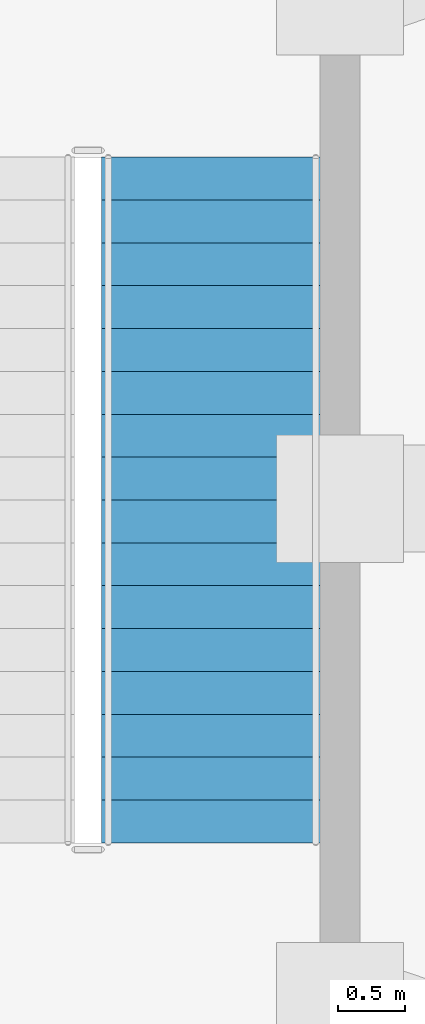
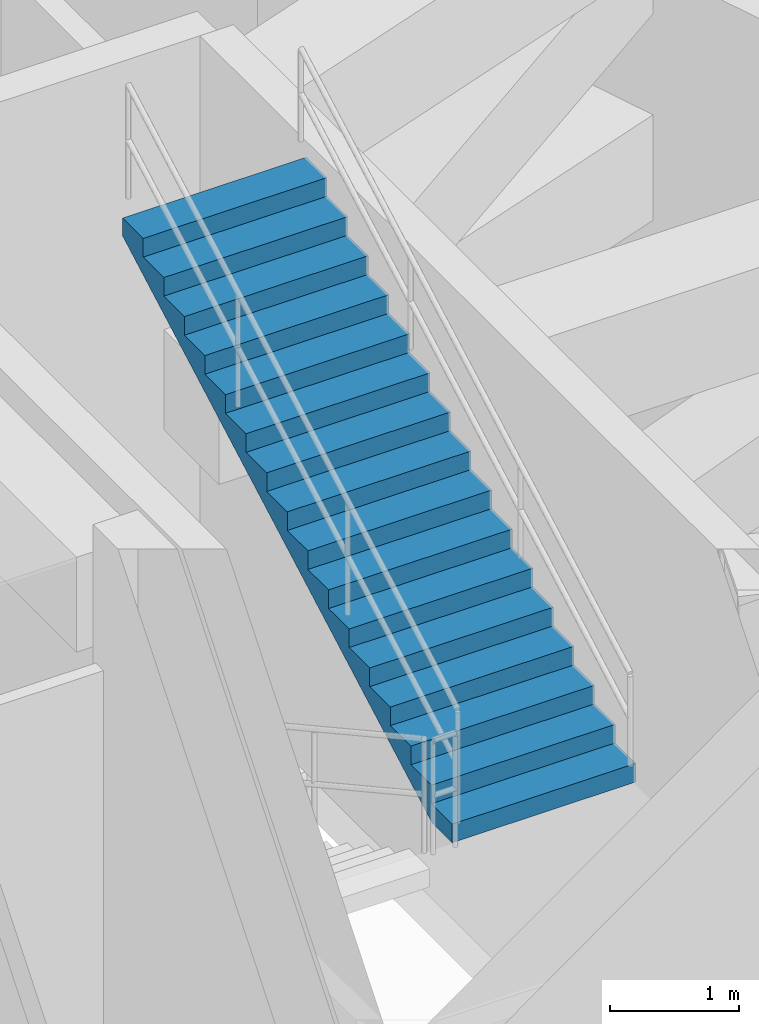
# One storey, part 8 of 12: 1 stair flight, 1 element without a shape of its own.
"""IFC4 building model written with IfcOpenShell, lengths in metres."""

import ifcopenshell
import ifcopenshell.guid

model = None  # the IFC model being written
_history = None  # IfcOwnerHistory: only IFC2X3 demands one
_inside = {}  # id of a spatial element -> (the spatial element, [elements in it])
_under = {}  # id of a project, library or spatial element -> (it, [spatial elements below it])
_declared = {}  # id of a project -> (the project, [libraries it declares])
_typed = {}  # id of a type object -> (the type object, [elements of that type])
_made_of = {}  # id of a material, layer set ... -> (it, [elements and type objects made of it])


def new_model(schema):
    """Start an empty IFC model of exactly this schema.

    Asked for "IFC4X3", IfcOpenShell would pick the latest addendum, in which some entities
    have other attributes; the version numbers below select the first issue.
    IFC2X3 requires an IfcOwnerHistory on every rooted entity: one is made here for all.
    """
    global model, _history
    if schema == "IFC4X3":
        model = ifcopenshell.file(schema_version=(4, 3, 0, 0))
    else:
        model = ifcopenshell.file(schema=schema)
    _inside.clear()
    _under.clear()
    _declared.clear()
    _typed.clear()
    _made_of.clear()
    _history = None
    if model.schema == "IFC2X3":
        org = make("IfcOrganization", Name="unknown")
        user = make(
            "IfcPersonAndOrganization",
            ThePerson=make("IfcPerson", FamilyName="unknown"),
            TheOrganization=org,
        )
        app = make(
            "IfcApplication",
            ApplicationDeveloper=org,
            Version="unknown",
            ApplicationFullName="unknown",
            ApplicationIdentifier="unknown",
        )
        _history = make(
            "IfcOwnerHistory",
            OwningUser=user,
            OwningApplication=app,
            ChangeAction="ADDED",
            CreationDate=0,
        )
    return model


def make(cls, **values):
    """One entity of the class cls with the attributes given. An attribute that is None is left unset."""
    return model.create_entity(
        cls, **{name: value for name, value in values.items() if value is not None}
    )


def rooted(cls, **values):
    """An entity with a GlobalId (a new one), such as an element, a storey or a relation."""
    return make(cls, GlobalId=ifcopenshell.guid.new(), OwnerHistory=_history, **values)


def si_unit(unit_type, name, prefix=None):
    """IfcSIUnit, for example si_unit("LENGTHUNIT", "METRE", prefix="MILLI")."""
    return make("IfcSIUnit", UnitType=unit_type, Prefix=prefix, Name=name)


def assignment(units):
    """IfcUnitAssignment: the units of a project."""
    return None if units is None else make("IfcUnitAssignment", Units=units)


def point(xyz):
    """IfcCartesianPoint."""
    return None if xyz is None else make("IfcCartesianPoint", Coordinates=xyz)


def direction(xyz):
    """IfcDirection."""
    return None if xyz is None else make("IfcDirection", DirectionRatios=xyz)


def frame(location, z_axis=None, x_axis=None):
    """IfcAxis2Placement3D, a coordinate frame: its origin and axes. An axis left out is left unset."""
    return make(
        "IfcAxis2Placement3D",
        Location=point(location),
        Axis=direction(z_axis),
        RefDirection=direction(x_axis),
    )


def origin():
    """The frame at (0, 0, 0) with its axes left unset."""
    return frame((0.0, 0.0, 0.0))


def place(relative_to, where):
    """IfcLocalPlacement: puts the frame where relative to a parent placement (None: the world)."""
    return make(
        "IfcLocalPlacement", PlacementRelTo=relative_to, RelativePlacement=where
    )


def context(
    kind, dimensions, precision=None, world=None, true_north=None, identifier=None
):
    """IfcGeometricRepresentationContext, for example the 3D "Model" context."""
    return make(
        "IfcGeometricRepresentationContext",
        ContextIdentifier=identifier,
        ContextType=kind,
        CoordinateSpaceDimension=dimensions,
        Precision=precision,
        WorldCoordinateSystem=world,
        TrueNorth=true_north,
    )


def subcontext(parent, identifier, kind, view, scale=None):
    """IfcGeometricRepresentationSubContext, for example "Body" below "Model"."""
    return make(
        "IfcGeometricRepresentationSubContext",
        ContextIdentifier=identifier,
        ContextType=kind,
        ParentContext=parent,
        TargetScale=scale,
        TargetView=view,
    )


def project(units=None, contexts=None):
    """IfcProject with its units and contexts."""
    return rooted(
        "IfcProject",
        Name="project",
        RepresentationContexts=contexts,
        UnitsInContext=assignment(units),
    )


def spatial(cls, under=None, at=None, **own):
    """A site, building, storey or space (cls), placed at a placement, below another one or the project."""
    s = rooted(cls, ObjectPlacement=at, **own)
    if under is not None:
        _under.setdefault(under.id(), (under, []))[1].append(s)
    return s


def polyline(points):
    """IfcPolyline through the points."""
    return make("IfcPolyline", Points=[point(p) for p in points])


def outline(outer, holes=None, kind="AREA"):
    """IfcArbitraryClosedProfileDef: a profile drawn as a closed curve; with holes, ...WithVoids."""
    if holes is None:
        return make("IfcArbitraryClosedProfileDef", ProfileType=kind, OuterCurve=outer)
    return make(
        "IfcArbitraryProfileDefWithVoids",
        ProfileType=kind,
        OuterCurve=outer,
        InnerCurves=holes,
    )


def extrude(swept, where, along, depth):
    """IfcExtrudedAreaSolid: the profile swept, set in the frame where, extruded along a direction by depth."""
    return make(
        "IfcExtrudedAreaSolid",
        SweptArea=swept,
        Position=where,
        ExtrudedDirection=direction(along),
        Depth=depth,
    )


def shape(context_of_items, identifier, shape_type, items):
    """IfcShapeRepresentation: the items that make up one representation, for example the "Body"."""
    return make(
        "IfcShapeRepresentation",
        ContextOfItems=context_of_items,
        RepresentationIdentifier=identifier,
        RepresentationType=shape_type,
        Items=items,
    )


def material(Name=None, Category=None):
    """IfcMaterial."""
    return make("IfcMaterial", Name=Name, Category=Category)


def made_of(thing, what):
    """Note that an element or type object is made of a material, layer set ...; save() writes the relation."""
    if what is not None:
        _made_of.setdefault(what.id(), (what, []))[1].append(thing)
    return thing


def type_object(cls, material=None, **own):
    """A type object (cls), such as IfcWallType, which elements share."""
    return made_of(rooted(cls, **own), material)


def element(
    cls,
    number,
    at=None,
    inside=None,
    cuts=None,
    type_object=None,
    material=None,
    context=None,
    identifier="Body",
    shape_type=None,
    held_by="IfcProductDefinitionShape",
    body=None,
    shapes=None,
    **own,
):
    """One element of the class cls, such as IfcWall. Its Tag is "e" and its number.

    at: its placement. inside: the storey or other place that contains it. cuts: it is an
    opening in that element (IfcRelVoidsElement). A single representation is given by context,
    identifier, shape_type and body (its items); several are given by shapes. held_by: the class
    of the entity that holds the representations. save() writes the other relations.
    """
    e = rooted(cls, Tag="e%d" % number, ObjectPlacement=at, **own)
    if body is not None:
        shapes = [shape(context, identifier, shape_type, body)]
    if shapes is not None:
        e.Representation = make(held_by, Representations=shapes)
    if inside is not None:
        _inside.setdefault(inside.id(), (inside, []))[1].append(e)
    if cuts is not None:
        rooted(
            "IfcRelVoidsElement", RelatingBuildingElement=cuts, RelatedOpeningElement=e
        )
    if type_object is not None:
        _typed.setdefault(type_object.id(), (type_object, []))[1].append(e)
    return made_of(e, material)


def aggregate(whole, parts):
    """IfcRelAggregates: a whole, such as a stair, and the parts it consists of."""
    return rooted("IfcRelAggregates", RelatingObject=whole, RelatedObjects=parts)


def save(model, path):
    """Write the relations noted so far, then the file.

    IfcRelAggregates (storeys below a building ...), IfcRelContainedInSpatialStructure (elements
    in a storey), IfcRelDefinesByType, IfcRelAssociatesMaterial and IfcRelDeclares: one each for
    every whole, place, type object, material and project.
    """
    for whole, parts in _under.values():
        aggregate(whole, parts)
    for where, things in _inside.values():
        rooted(
            "IfcRelContainedInSpatialStructure",
            RelatedElements=things,
            RelatingStructure=where,
        )
    for kind, things in _typed.values():
        rooted("IfcRelDefinesByType", RelatedObjects=things, RelatingType=kind)
    for what, things in _made_of.values():
        rooted("IfcRelAssociatesMaterial", RelatedObjects=things, RelatingMaterial=what)
    for by, libraries in _declared.values():
        rooted("IfcRelDeclares", RelatingContext=by, RelatedDefinitions=libraries)
    model.write(path)


model = new_model("IFC4")

# Units and contexts
model_context = context("Model", 3, precision=1e-05, world=origin(), true_north=direction((0.0, 1.0)))
body_context = subcontext(model_context, "Body", "Model", "MODEL_VIEW")
ifc_project = project(units=[si_unit("LENGTHUNIT", "METRE"), si_unit("AREAUNIT", "SQUARE_METRE"), si_unit("VOLUMEUNIT", "CUBIC_METRE"), si_unit("PLANEANGLEUNIT", "RADIAN"), si_unit("MASSUNIT", "GRAM", prefix="KILO")], contexts=[model_context])

# Site, building, storey
site_placement = place(None, origin())
site = spatial("IfcSite", under=ifc_project, at=site_placement, CompositionType="ELEMENT")
building_placement = place(site_placement, origin())
building = spatial("IfcBuilding", under=site, at=building_placement, Name="Veldorina Hangang Commons", CompositionType="ELEMENT")
storey_placement = place(building_placement, frame((0.0, 0.0, 24.39990234375)))
storey = spatial("IfcBuildingStorey", under=building, at=storey_placement, Name="L05", CompositionType="ELEMENT", Elevation=24.39990234375)

# Stair, stair flight
ifc_material = material(Name="Concrete C40/50", Category="concrete")
stair_type = type_object("IfcStairType", Name="STR-DOG-1650-34R", PredefinedType="HALF_TURN_STAIR", material=ifc_material)
stair_placement = place(storey_placement, origin())
stair = element("IfcStair", 1, at=stair_placement, inside=storey, type_object=stair_type, Name="L05 Exit stair ST-2", PredefinedType="HALF_TURN_STAIR")
stair_flight_type = type_object("IfcStairFlightType", Name="SFL-STR-1650-34R", PredefinedType="STRAIGHT", material=ifc_material)
stair_flight_placement = place(storey_placement, frame((42.22509765625, 21.429931640625, 3.0), z_axis=(0.0, 0.0, 1.0), x_axis=(0.0, 1.0, 0.0)))
stair_flight = element("IfcStairFlight", 2, at=stair_flight_placement, type_object=stair_flight_type, Name="ST-2 flight 2", NumberOfRisers=17, NumberOfTreads=16, PredefinedType="STRAIGHT", RiserHeight=0.176470588, TreadLength=0.32, context=body_context, shape_type="SweptSolid", body=[
    extrude(outline(polyline([(0.0, 0.0), (0.0, 0.176513671875), (0.320068359375, 0.176513671875), (0.320068359375, 0.35302734375), (0.639892578125, 0.35302734375), (0.639892578125, 0.529296875), (0.9599609375, 0.529296875), (0.9599609375, 0.705810546875), (1.280029296875, 0.705810546875), (1.280029296875, 0.88232421875), (1.60009765625, 0.88232421875), (1.60009765625, 1.058837890625), (1.919921875, 1.058837890625), (1.919921875, 1.2353515625), (2.239990234375, 1.2353515625), (2.239990234375, 1.411865234375), (2.56005859375, 1.411865234375), (2.56005859375, 1.588134765625), (2.8798828125, 1.588134765625), (2.8798828125, 1.7646484375), (3.199951171875, 1.7646484375), (3.199951171875, 1.941162109375), (3.52001953125, 1.941162109375), (3.52001953125, 2.11767578125), (3.840087890625, 2.11767578125), (3.840087890625, 2.294189453125), (4.159912109375, 2.294189453125), (4.159912109375, 2.470703125), (4.47998046875, 2.470703125), (4.47998046875, 2.64697265625), (4.800048828125, 2.64697265625), (4.800048828125, 2.823486328125), (5.1201171875, 2.823486328125), (5.1201171875, 3.0), (5.1201171875, 2.65234375), (0.310302734375, 0.0), (0.0, 0.0)])), frame((0.0, 0.824951171875, 0.0), z_axis=(0.0, -1.0, 0.0), x_axis=(1.0, 0.0, 0.0)), (0.0, 0.0, 1.0), 1.64990234375),
])
aggregate(stair, [stair_flight])

save(model, "model.ifc")
